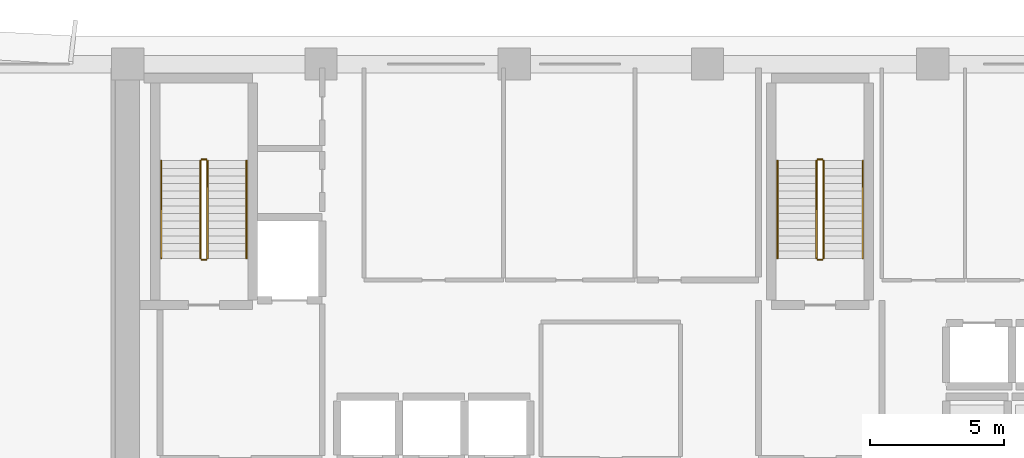
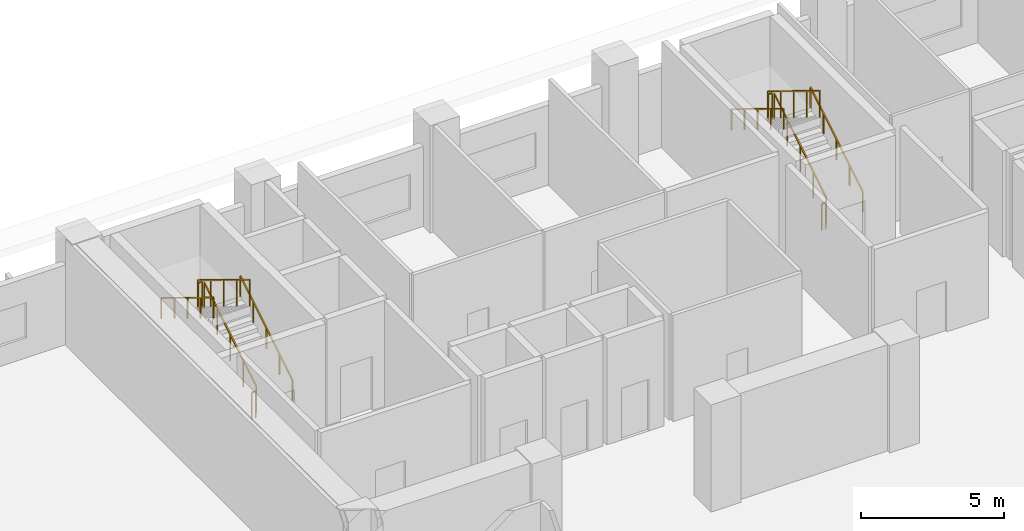
# One storey, part 34 of 37: 12 railings.
"""IFC4 building model written with IfcOpenShell, lengths in metres."""

from ifc_helpers import new_model, si_unit, direction, frame, origin, origin_2d, place, context, subcontext, project, spatial, rectangle, extrude, material, type_object, element, save


model = new_model("IFC4")

# Units and contexts
model_context = context("Model", 3, precision=1e-05, world=origin(), true_north=direction((0.0, 1.0)))
body_context = subcontext(model_context, "Body", "Model", "MODEL_VIEW")
ifc_project = project(units=[si_unit("LENGTHUNIT", "METRE"), si_unit("AREAUNIT", "SQUARE_METRE"), si_unit("VOLUMEUNIT", "CUBIC_METRE"), si_unit("PLANEANGLEUNIT", "RADIAN"), si_unit("MASSUNIT", "GRAM", prefix="KILO")], contexts=[model_context])

# Site, building, storey
site_placement = place(None, origin())
site = spatial("IfcSite", under=ifc_project, at=site_placement, CompositionType="ELEMENT")
building_placement = place(site_placement, origin())
building = spatial("IfcBuilding", under=site, at=building_placement, Name="Kaelvorn Grand Hotel", CompositionType="ELEMENT")
storey_placement = place(building_placement, frame((0.0, 0.0, 130.550048828125)))
storey = spatial("IfcBuildingStorey", under=building, at=storey_placement, Name="L31", CompositionType="ELEMENT", Elevation=130.550048828125)

# Railings
ifc_material = material(Name="Stainless Steel", Category="steel")
railing_type_1 = type_object("IfcRailingType", Name="RL-HANDRAIL-900", PredefinedType="HANDRAIL", material=ifc_material)
railing_1_placement = place(storey_placement, frame((20.6298828125, 41.760009765625, 0.17138671875)))
element("IfcRailing", 1, at=railing_1_placement, inside=storey, type_object=railing_type_1, Name="L31 ST1 stair handrail 1", PredefinedType="HANDRAIL", context=body_context, shape_type="SweptSolid", body=[
    extrude(rectangle(XDim=0.048095703125, YDim=0.048095703125, at=origin_2d()), frame((0.0, 0.0, 0.8759765625), z_axis=(0.0, 0.852850264322, 0.5221555579), x_axis=(-1.0, 0.0, 0.0)), (0.0, 0.0, 1.0), 4.267822265625),
    extrude(rectangle(XDim=0.0419921875, YDim=0.0419921875, at=origin_2d()), origin(), (0.0, 0.0, 1.0), 0.851806640625),
    extrude(rectangle(XDim=0.0419921875, YDim=0.0419921875, at=origin_2d()), frame((0.0, 0.909912109375, 0.55712890625)), (0.0, 0.0, 1.0), 0.851806640625),
    extrude(rectangle(XDim=0.0419921875, YDim=0.0419921875, at=origin_2d()), frame((0.0, 1.81982421875, 1.1142578125)), (0.0, 0.0, 1.0), 0.851806640625),
    extrude(rectangle(XDim=0.0419921875, YDim=0.0419921875, at=origin_2d()), frame((0.0, 2.72998046875, 1.67138671875)), (0.0, 0.0, 1.0), 0.851806640625),
    extrude(rectangle(XDim=0.0419921875, YDim=0.0419921875, at=origin_2d()), frame((0.0, 3.639892578125, 2.228515625)), (0.0, 0.0, 1.0), 0.851806640625),
])
railing_2_placement = place(storey_placement, frame((17.449951171875, 45.39990234375, 2.5712890625)))
element("IfcRailing", 2, at=railing_2_placement, inside=storey, type_object=railing_type_1, Name="L31 ST1 stair handrail 2", PredefinedType="HANDRAIL", context=body_context, shape_type="SweptSolid", body=[
    extrude(rectangle(XDim=0.048095703125, YDim=0.048095703125, at=origin_2d()), frame((0.0, 0.0, 0.8759765625), z_axis=(0.0, -0.852824790078, 0.522197163366), x_axis=(1.0, 0.0, 0.0)), (0.0, 0.0, 1.0), 4.26806640625),
    extrude(rectangle(XDim=0.0419921875, YDim=0.0419921875, at=origin_2d()), origin(), (0.0, 0.0, 1.0), 0.851806640625),
    extrude(rectangle(XDim=0.0419921875, YDim=0.0419921875, at=origin_2d()), frame((0.0, -0.909912109375, 0.55712890625)), (0.0, 0.0, 1.0), 0.851806640625),
    extrude(rectangle(XDim=0.0419921875, YDim=0.0419921875, at=origin_2d()), frame((0.0, -1.81982421875, 1.1142578125)), (0.0, 0.0, 1.0), 0.851806640625),
    extrude(rectangle(XDim=0.0419921875, YDim=0.0419921875, at=origin_2d()), frame((0.0, -2.72998046875, 1.671630859375)), (0.0, 0.0, 1.0), 0.851806640625),
    extrude(rectangle(XDim=0.0419921875, YDim=0.0419921875, at=origin_2d()), frame((0.0, -3.639892578125, 2.228759765625)), (0.0, 0.0, 1.0), 0.851806640625),
])
railing_3_placement = place(storey_placement, frame((43.590087890625, 41.760009765625, 0.17138671875)))
element("IfcRailing", 3, at=railing_3_placement, inside=storey, type_object=railing_type_1, Name="L31 ST2 stair handrail 1", PredefinedType="HANDRAIL", context=body_context, shape_type="SweptSolid", body=[
    extrude(rectangle(XDim=0.048095703125, YDim=0.048095703125, at=origin_2d()), frame((0.0, 0.0, 0.8759765625), z_axis=(0.0, 0.852850264322, 0.5221555579), x_axis=(-1.0, 0.0, 0.0)), (0.0, 0.0, 1.0), 4.267822265625),
    extrude(rectangle(XDim=0.0419921875, YDim=0.0419921875, at=origin_2d()), origin(), (0.0, 0.0, 1.0), 0.851806640625),
    extrude(rectangle(XDim=0.0419921875, YDim=0.0419921875, at=origin_2d()), frame((0.0, 0.909912109375, 0.55712890625)), (0.0, 0.0, 1.0), 0.851806640625),
    extrude(rectangle(XDim=0.0419921875, YDim=0.0419921875, at=origin_2d()), frame((0.0, 1.81982421875, 1.1142578125)), (0.0, 0.0, 1.0), 0.851806640625),
    extrude(rectangle(XDim=0.0419921875, YDim=0.0419921875, at=origin_2d()), frame((0.0, 2.72998046875, 1.67138671875)), (0.0, 0.0, 1.0), 0.851806640625),
    extrude(rectangle(XDim=0.0419921875, YDim=0.0419921875, at=origin_2d()), frame((0.0, 3.639892578125, 2.228515625)), (0.0, 0.0, 1.0), 0.851806640625),
])
railing_4_placement = place(storey_placement, frame((40.409912109375, 45.39990234375, 2.5712890625)))
element("IfcRailing", 4, at=railing_4_placement, inside=storey, type_object=railing_type_1, Name="L31 ST2 stair handrail 2", PredefinedType="HANDRAIL", context=body_context, shape_type="SweptSolid", body=[
    extrude(rectangle(XDim=0.048095703125, YDim=0.048095703125, at=origin_2d()), frame((0.0, 0.0, 0.8759765625), z_axis=(0.0, -0.852824790078, 0.522197163366), x_axis=(1.0, 0.0, 0.0)), (0.0, 0.0, 1.0), 4.26806640625),
    extrude(rectangle(XDim=0.0419921875, YDim=0.0419921875, at=origin_2d()), origin(), (0.0, 0.0, 1.0), 0.851806640625),
    extrude(rectangle(XDim=0.0419921875, YDim=0.0419921875, at=origin_2d()), frame((0.0, -0.909912109375, 0.55712890625)), (0.0, 0.0, 1.0), 0.851806640625),
    extrude(rectangle(XDim=0.0419921875, YDim=0.0419921875, at=origin_2d()), frame((0.0, -1.81982421875, 1.1142578125)), (0.0, 0.0, 1.0), 0.851806640625),
    extrude(rectangle(XDim=0.0419921875, YDim=0.0419921875, at=origin_2d()), frame((0.0, -2.72998046875, 1.671630859375)), (0.0, 0.0, 1.0), 0.851806640625),
    extrude(rectangle(XDim=0.0419921875, YDim=0.0419921875, at=origin_2d()), frame((0.0, -3.639892578125, 2.228759765625)), (0.0, 0.0, 1.0), 0.851806640625),
])
railing_type_2 = type_object("IfcRailingType", Name="RL-STAIR-GUARD-1150", PredefinedType="BALUSTRADE", material=ifc_material)
railing_5_placement = place(storey_placement, frame((19.169921875, 41.760009765625, 0.17138671875)))
element("IfcRailing", 5, at=railing_5_placement, inside=storey, type_object=railing_type_2, Name="L31 ST1 stair guard 1", PredefinedType="BALUSTRADE", context=body_context, shape_type="SweptSolid", body=[
    extrude(rectangle(XDim=0.048095703125, YDim=0.048095703125, at=origin_2d()), frame((0.0, 0.0, 1.1259765625), z_axis=(0.0, 0.852850264322, 0.5221555579), x_axis=(-1.0, 0.0, 0.0)), (0.0, 0.0, 1.0), 4.267822265625),
    extrude(rectangle(XDim=0.0419921875, YDim=0.0419921875, at=origin_2d()), origin(), (0.0, 0.0, 1.0), 1.101806640625),
    extrude(rectangle(XDim=0.0419921875, YDim=0.0419921875, at=origin_2d()), frame((0.0, 0.909912109375, 0.55712890625)), (0.0, 0.0, 1.0), 1.101806640625),
    extrude(rectangle(XDim=0.0419921875, YDim=0.0419921875, at=origin_2d()), frame((0.0, 1.81982421875, 1.1142578125)), (0.0, 0.0, 1.0), 1.101806640625),
    extrude(rectangle(XDim=0.0419921875, YDim=0.0419921875, at=origin_2d()), frame((0.0, 2.72998046875, 1.67138671875)), (0.0, 0.0, 1.0), 1.101806640625),
    extrude(rectangle(XDim=0.0419921875, YDim=0.0419921875, at=origin_2d()), frame((0.0, 3.639892578125, 2.228515625)), (0.0, 0.0, 1.0), 1.101806640625),
])
railing_6_placement = place(storey_placement, frame((19.1201171875, 45.449951171875, 2.39990234375)))
element("IfcRailing", 6, at=railing_6_placement, inside=storey, type_object=railing_type_2, Name="L31 ST1 stair guard 2", PredefinedType="BALUSTRADE", context=body_context, shape_type="SweptSolid", body=[
    extrude(rectangle(XDim=0.048095703125, YDim=0.048095703125, at=origin_2d()), frame((0.0, 0.0, 1.1259765625), z_axis=(-1.0, 0.0, 0.0), x_axis=(0.0, -1.0, 0.0)), (0.0, 0.0, 1.0), 0.16015625),
    extrude(rectangle(XDim=0.0419921875, YDim=0.0419921875, at=origin_2d()), origin(), (0.0, 0.0, 1.0), 1.101806640625),
    extrude(rectangle(XDim=0.0419921875, YDim=0.0419921875, at=origin_2d()), frame((-0.16015625, 0.0, 0.0)), (0.0, 0.0, 1.0), 1.101806640625),
])
railing_7_placement = place(storey_placement, frame((18.909912109375, 45.39990234375, 2.5712890625)))
element("IfcRailing", 7, at=railing_7_placement, inside=storey, type_object=railing_type_2, Name="L31 ST1 stair guard 3", PredefinedType="BALUSTRADE", context=body_context, shape_type="SweptSolid", body=[
    extrude(rectangle(XDim=0.048095703125, YDim=0.048095703125, at=origin_2d()), frame((0.0, 0.0, 1.1259765625), z_axis=(0.0, -0.852824790078, 0.522197163366), x_axis=(1.0, 0.0, 0.0)), (0.0, 0.0, 1.0), 4.26806640625),
    extrude(rectangle(XDim=0.0419921875, YDim=0.0419921875, at=origin_2d()), origin(), (0.0, 0.0, 1.0), 1.101806640625),
    extrude(rectangle(XDim=0.0419921875, YDim=0.0419921875, at=origin_2d()), frame((0.0, -0.909912109375, 0.55712890625)), (0.0, 0.0, 1.0), 1.101806640625),
    extrude(rectangle(XDim=0.0419921875, YDim=0.0419921875, at=origin_2d()), frame((0.0, -1.81982421875, 1.1142578125)), (0.0, 0.0, 1.0), 1.101806640625),
    extrude(rectangle(XDim=0.0419921875, YDim=0.0419921875, at=origin_2d()), frame((0.0, -2.72998046875, 1.671630859375)), (0.0, 0.0, 1.0), 1.101806640625),
    extrude(rectangle(XDim=0.0419921875, YDim=0.0419921875, at=origin_2d()), frame((0.0, -3.639892578125, 2.228759765625)), (0.0, 0.0, 1.0), 1.101806640625),
])
railing_8_placement = place(storey_placement, frame((19.1201171875, 41.7099609375, 0.0)))
element("IfcRailing", 8, at=railing_8_placement, inside=storey, type_object=railing_type_2, Name="L31 ST1 stair guard 4", PredefinedType="BALUSTRADE", context=body_context, shape_type="SweptSolid", body=[
    extrude(rectangle(XDim=0.048095703125, YDim=0.048095703125, at=origin_2d()), frame((0.0, 0.0, 1.1259765625), z_axis=(-1.0, 0.0, 0.0), x_axis=(0.0, -1.0, 0.0)), (0.0, 0.0, 1.0), 0.16015625),
    extrude(rectangle(XDim=0.0419921875, YDim=0.0419921875, at=origin_2d()), origin(), (0.0, 0.0, 1.0), 1.101806640625),
    extrude(rectangle(XDim=0.0419921875, YDim=0.0419921875, at=origin_2d()), frame((-0.16015625, 0.0, 0.0)), (0.0, 0.0, 1.0), 1.101806640625),
])
railing_9_placement = place(storey_placement, frame((42.1298828125, 41.760009765625, 0.17138671875)))
element("IfcRailing", 9, at=railing_9_placement, inside=storey, type_object=railing_type_2, Name="L31 ST2 stair guard 1", PredefinedType="BALUSTRADE", context=body_context, shape_type="SweptSolid", body=[
    extrude(rectangle(XDim=0.048095703125, YDim=0.048095703125, at=origin_2d()), frame((0.0, 0.0, 1.1259765625), z_axis=(0.0, 0.852850264322, 0.5221555579), x_axis=(-1.0, 0.0, 0.0)), (0.0, 0.0, 1.0), 4.267822265625),
    extrude(rectangle(XDim=0.0419921875, YDim=0.0419921875, at=origin_2d()), origin(), (0.0, 0.0, 1.0), 1.101806640625),
    extrude(rectangle(XDim=0.0419921875, YDim=0.0419921875, at=origin_2d()), frame((0.0, 0.909912109375, 0.55712890625)), (0.0, 0.0, 1.0), 1.101806640625),
    extrude(rectangle(XDim=0.0419921875, YDim=0.0419921875, at=origin_2d()), frame((0.0, 1.81982421875, 1.1142578125)), (0.0, 0.0, 1.0), 1.101806640625),
    extrude(rectangle(XDim=0.0419921875, YDim=0.0419921875, at=origin_2d()), frame((0.0, 2.72998046875, 1.67138671875)), (0.0, 0.0, 1.0), 1.101806640625),
    extrude(rectangle(XDim=0.0419921875, YDim=0.0419921875, at=origin_2d()), frame((0.0, 3.639892578125, 2.228515625)), (0.0, 0.0, 1.0), 1.101806640625),
])
railing_10_placement = place(storey_placement, frame((42.080078125, 45.449951171875, 2.39990234375)))
element("IfcRailing", 10, at=railing_10_placement, inside=storey, type_object=railing_type_2, Name="L31 ST2 stair guard 2", PredefinedType="BALUSTRADE", context=body_context, shape_type="SweptSolid", body=[
    extrude(rectangle(XDim=0.048095703125, YDim=0.048095703125, at=origin_2d()), frame((0.0, 0.0, 1.1259765625), z_axis=(-1.0, 0.0, 0.0), x_axis=(0.0, -1.0, 0.0)), (0.0, 0.0, 1.0), 0.16015625),
    extrude(rectangle(XDim=0.0419921875, YDim=0.0419921875, at=origin_2d()), origin(), (0.0, 0.0, 1.0), 1.101806640625),
    extrude(rectangle(XDim=0.0419921875, YDim=0.0419921875, at=origin_2d()), frame((-0.16015625, 0.0, 0.0)), (0.0, 0.0, 1.0), 1.101806640625),
])
railing_11_placement = place(storey_placement, frame((41.8701171875, 45.39990234375, 2.5712890625)))
element("IfcRailing", 11, at=railing_11_placement, inside=storey, type_object=railing_type_2, Name="L31 ST2 stair guard 3", PredefinedType="BALUSTRADE", context=body_context, shape_type="SweptSolid", body=[
    extrude(rectangle(XDim=0.048095703125, YDim=0.048095703125, at=origin_2d()), frame((0.0, 0.0, 1.1259765625), z_axis=(0.0, -0.852824790078, 0.522197163366), x_axis=(1.0, 0.0, 0.0)), (0.0, 0.0, 1.0), 4.26806640625),
    extrude(rectangle(XDim=0.0419921875, YDim=0.0419921875, at=origin_2d()), origin(), (0.0, 0.0, 1.0), 1.101806640625),
    extrude(rectangle(XDim=0.0419921875, YDim=0.0419921875, at=origin_2d()), frame((0.0, -0.909912109375, 0.55712890625)), (0.0, 0.0, 1.0), 1.101806640625),
    extrude(rectangle(XDim=0.0419921875, YDim=0.0419921875, at=origin_2d()), frame((0.0, -1.81982421875, 1.1142578125)), (0.0, 0.0, 1.0), 1.101806640625),
    extrude(rectangle(XDim=0.0419921875, YDim=0.0419921875, at=origin_2d()), frame((0.0, -2.72998046875, 1.671630859375)), (0.0, 0.0, 1.0), 1.101806640625),
    extrude(rectangle(XDim=0.0419921875, YDim=0.0419921875, at=origin_2d()), frame((0.0, -3.639892578125, 2.228759765625)), (0.0, 0.0, 1.0), 1.101806640625),
])
railing_12_placement = place(storey_placement, frame((42.080078125, 41.7099609375, 0.0)))
element("IfcRailing", 12, at=railing_12_placement, inside=storey, type_object=railing_type_2, Name="L31 ST2 stair guard 4", PredefinedType="BALUSTRADE", context=body_context, shape_type="SweptSolid", body=[
    extrude(rectangle(XDim=0.048095703125, YDim=0.048095703125, at=origin_2d()), frame((0.0, 0.0, 1.1259765625), z_axis=(-1.0, 0.0, 0.0), x_axis=(0.0, -1.0, 0.0)), (0.0, 0.0, 1.0), 0.16015625),
    extrude(rectangle(XDim=0.0419921875, YDim=0.0419921875, at=origin_2d()), origin(), (0.0, 0.0, 1.0), 1.101806640625),
    extrude(rectangle(XDim=0.0419921875, YDim=0.0419921875, at=origin_2d()), frame((-0.16015625, 0.0, 0.0)), (0.0, 0.0, 1.0), 1.101806640625),
])

save(model, "model.ifc")
